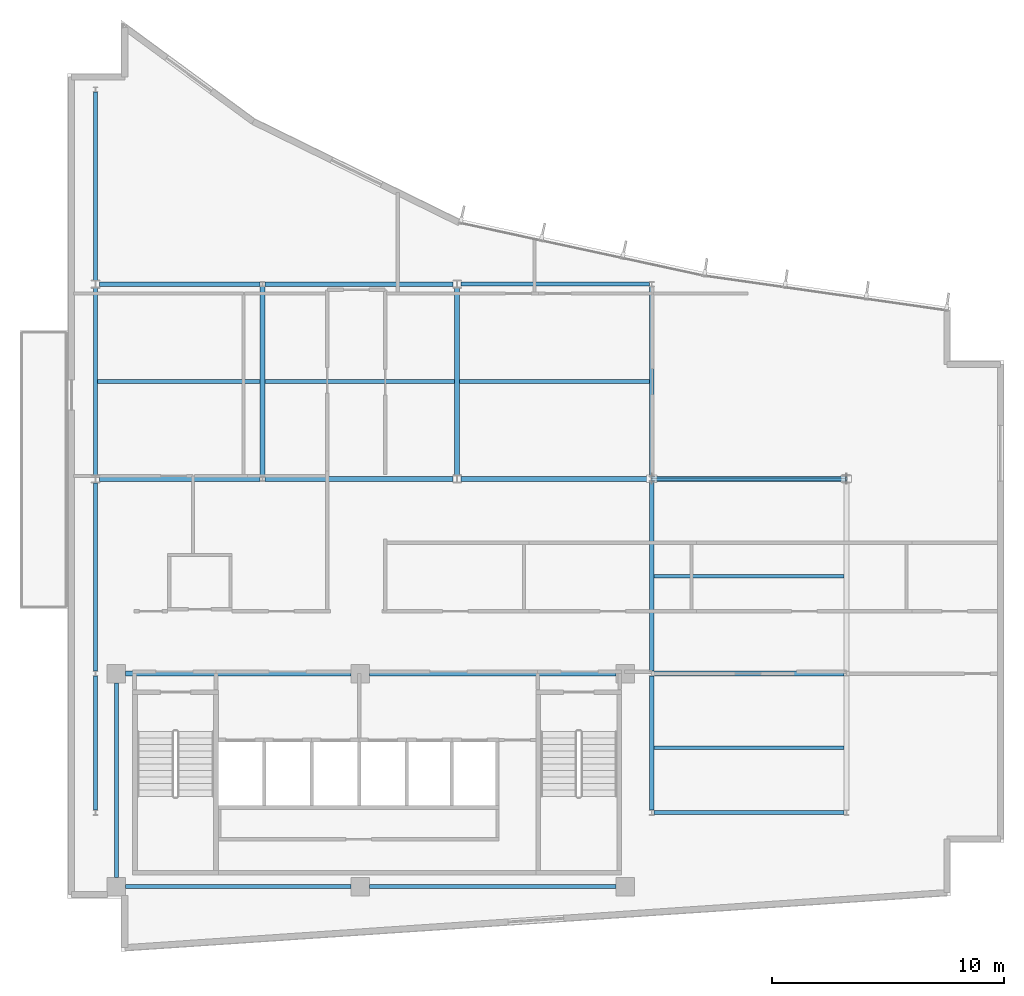
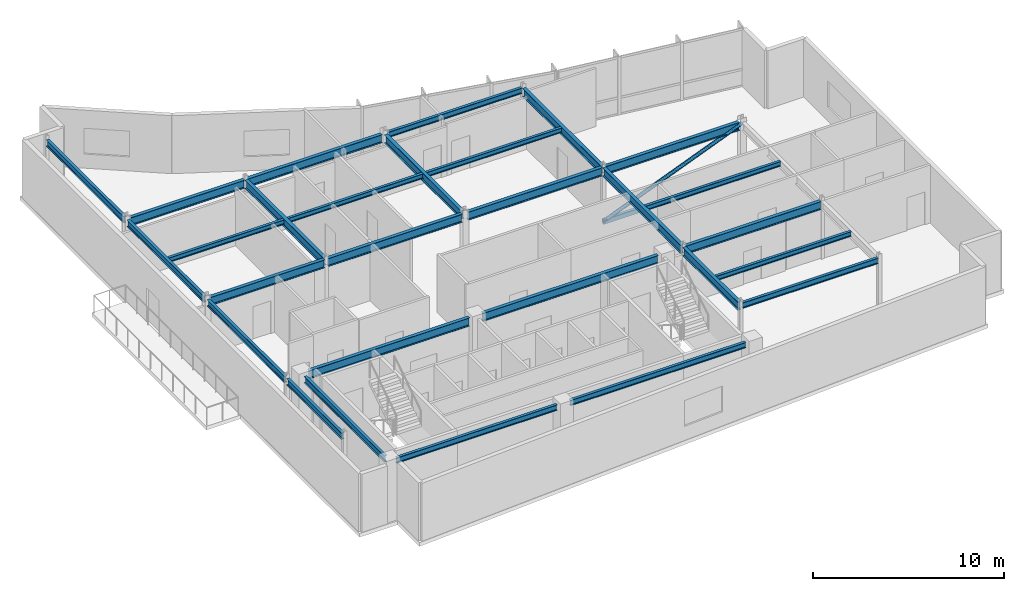
# One storey, part 5 of 16: 28 beams, 2 members.
"""IFC4 building model written with IfcOpenShell, lengths in metres."""

from ifc_helpers import new_model, si_unit, direction, frame, origin, origin_2d, place, context, subcontext, project, spatial, hollow_rectangle, hollow_circle, i_section, extrude, material, material_profile, profile_set, type_object, element, save


model = new_model("IFC4")

# Units and contexts
model_context = context("Model", 3, precision=1e-05, world=origin(), true_north=direction((0.0, 1.0)))
body_context = subcontext(model_context, "Body", "Model", "MODEL_VIEW")
ifc_project = project(units=[si_unit("LENGTHUNIT", "METRE"), si_unit("AREAUNIT", "SQUARE_METRE"), si_unit("VOLUMEUNIT", "CUBIC_METRE"), si_unit("PLANEANGLEUNIT", "RADIAN"), si_unit("MASSUNIT", "GRAM", prefix="KILO")], contexts=[model_context])

# Site, building, storey
site_placement = place(None, origin())
site = spatial("IfcSite", under=ifc_project, at=site_placement, CompositionType="ELEMENT")
building_placement = place(site_placement, origin())
building = spatial("IfcBuilding", under=site, at=building_placement, Name="Varnakote Quay Hospital", CompositionType="ELEMENT")
storey_placement = place(building_placement, frame((0.0, 0.0, 288.14990234375)))
storey = spatial("IfcBuildingStorey", under=building, at=storey_placement, Name="L71", CompositionType="ELEMENT", Elevation=288.14990234375)

# Beams
ifc_material_1 = material(Name="Structural steel AS/NZS 3679.1 Grade 350 L0 (fy 340 MPa)", Category="steel")
ifc_material_profile_1 = material_profile(ifc_material_1, i_section(OverallWidth=0.208984375, OverallDepth=0.528076171875, WebThickness=0.009521484375, FlangeThickness=0.01318359375, FilletRadius=0.013916015625, at=origin_2d()), Name="530UB82.0")
ifc_profile_set_1 = profile_set([ifc_material_profile_1], Name="Structural steel AS/NZS 3679.1 Grade 350 L0 (fy 340 MPa)")
beam_type_1 = type_object("IfcBeamType", Name="BM-STL-530UB82-0", PredefinedType="BEAM", material=ifc_profile_set_1)
beam_1_placement = place(storey_placement, frame((2.5, 12.0, 3.446044921875), z_axis=(1.0, 0.0, 0.0), x_axis=(0.0, 1.0, 0.0)))
element("IfcBeam", 1, at=beam_1_placement, inside=storey, type_object=beam_type_1, Name="L71 Primary Floor Beam", PredefinedType="BEAM", context=body_context, shape_type="SweptSolid", body=[
    extrude(i_section(OverallWidth=0.208984375, OverallDepth=0.528076171875, WebThickness=0.009521484375, FlangeThickness=0.01318359375, FilletRadius=0.013916015625, at=origin_2d()), origin(), (0.0, 0.0, 1.0), 9.719970703125),
])
beam_2_placement = place(storey_placement, frame((13.02001953125, 12.0, 3.446044921875), z_axis=(1.0, 0.0, 0.0), x_axis=(0.0, 1.0, 0.0)))
element("IfcBeam", 2, at=beam_2_placement, inside=storey, type_object=beam_type_1, Name="L71 Primary Floor Beam", PredefinedType="BEAM", context=body_context, shape_type="SweptSolid", body=[
    extrude(i_section(OverallWidth=0.208984375, OverallDepth=0.528076171875, WebThickness=0.009521484375, FlangeThickness=0.01318359375, FilletRadius=0.013916015625, at=origin_2d()), origin(), (0.0, 0.0, 1.0), 10.6298828125),
])
beam_3_placement = place(storey_placement, frame((25.302490234375, 12.0, 3.446044921875), z_axis=(1.0, 0.0, 0.0), x_axis=(0.0, 1.0, 0.0)))
element("IfcBeam", 3, at=beam_3_placement, inside=storey, type_object=beam_type_1, Name="L71 Primary Floor Beam", PredefinedType="BEAM", context=body_context, shape_type="SweptSolid", body=[
    extrude(i_section(OverallWidth=0.208984375, OverallDepth=0.528076171875, WebThickness=0.009521484375, FlangeThickness=0.01318359375, FilletRadius=0.013916015625, at=origin_2d()), origin(), (0.0, 0.0, 1.0), 8.195068359375),
])
beam_4_placement = place(storey_placement, frame((1.375, 20.39990234375, 3.446044921875), z_axis=(1.0, 0.0, 0.0), x_axis=(0.0, 1.0, 0.0)))
element("IfcBeam", 4, at=beam_4_placement, inside=storey, type_object=beam_type_1, Name="L71 Primary Floor Beam", PredefinedType="BEAM", context=body_context, shape_type="SweptSolid", body=[
    extrude(i_section(OverallWidth=0.208984375, OverallDepth=0.528076171875, WebThickness=0.009521484375, FlangeThickness=0.01318359375, FilletRadius=0.013916015625, at=origin_2d()), origin(), (0.0, 0.0, 1.0), 6.922607421875),
])
beam_5_placement = place(storey_placement, frame((8.50244140625, 20.39990234375, 3.446044921875), z_axis=(1.0, 0.0, 0.0), x_axis=(0.0, 1.0, 0.0)))
element("IfcBeam", 5, at=beam_5_placement, inside=storey, type_object=beam_type_1, Name="L71 Primary Floor Beam", PredefinedType="BEAM", context=body_context, shape_type="SweptSolid", body=[
    extrude(i_section(OverallWidth=0.208984375, OverallDepth=0.528076171875, WebThickness=0.009521484375, FlangeThickness=0.01318359375, FilletRadius=0.013916015625, at=origin_2d()), origin(), (0.0, 0.0, 1.0), 8.12255859375),
])
beam_6_placement = place(storey_placement, frame((16.97509765625, 20.39990234375, 3.446044921875), z_axis=(1.0, 0.0, 0.0), x_axis=(0.0, 1.0, 0.0)))
element("IfcBeam", 6, at=beam_6_placement, inside=storey, type_object=beam_type_1, Name="L71 Primary Floor Beam", PredefinedType="BEAM", context=body_context, shape_type="SweptSolid", body=[
    extrude(i_section(OverallWidth=0.208984375, OverallDepth=0.528076171875, WebThickness=0.009521484375, FlangeThickness=0.01318359375, FilletRadius=0.013916015625, at=origin_2d()), origin(), (0.0, 0.0, 1.0), 8.122314453125),
])
beam_7_placement = place(storey_placement, frame((25.302490234375, 20.39990234375, 3.446044921875), z_axis=(1.0, 0.0, 0.0), x_axis=(0.0, 1.0, 0.0)))
element("IfcBeam", 7, at=beam_7_placement, inside=storey, type_object=beam_type_1, Name="L71 Primary Floor Beam", PredefinedType="BEAM", context=body_context, shape_type="SweptSolid", body=[
    extrude(i_section(OverallWidth=0.208984375, OverallDepth=0.528076171875, WebThickness=0.009521484375, FlangeThickness=0.01318359375, FilletRadius=0.013916015625, at=origin_2d()), origin(), (0.0, 0.0, 1.0), 8.12255859375),
])
beam_8_placement = place(storey_placement, frame((1.375, 28.800048828125, 3.446044921875), z_axis=(1.0, 0.0, 0.0), x_axis=(0.0, 1.0, 0.0)))
element("IfcBeam", 8, at=beam_8_placement, inside=storey, type_object=beam_type_1, Name="L71 Primary Floor Beam", PredefinedType="BEAM", context=body_context, shape_type="SweptSolid", body=[
    extrude(i_section(OverallWidth=0.208984375, OverallDepth=0.528076171875, WebThickness=0.009521484375, FlangeThickness=0.01318359375, FilletRadius=0.013916015625, at=origin_2d()), origin(), (0.0, 0.0, 1.0), 6.922607421875),
])
beam_9_placement = place(storey_placement, frame((8.50244140625, 28.800048828125, 3.446044921875), z_axis=(1.0, 0.0, 0.0), x_axis=(0.0, 1.0, 0.0)))
element("IfcBeam", 9, at=beam_9_placement, inside=storey, type_object=beam_type_1, Name="L71 Primary Floor Beam", PredefinedType="BEAM", context=body_context, shape_type="SweptSolid", body=[
    extrude(i_section(OverallWidth=0.208984375, OverallDepth=0.528076171875, WebThickness=0.009521484375, FlangeThickness=0.01318359375, FilletRadius=0.013916015625, at=origin_2d()), origin(), (0.0, 0.0, 1.0), 8.12255859375),
])
beam_10_placement = place(storey_placement, frame((8.39990234375, 20.5048828125, 3.446044921875), z_axis=(0.0, 1.0, 0.0), x_axis=(-1.0, 0.0, 0.0)))
element("IfcBeam", 10, at=beam_10_placement, inside=storey, type_object=beam_type_1, Name="L71 Primary Tie Beam", PredefinedType="BEAM", context=body_context, shape_type="SweptSolid", body=[
    extrude(i_section(OverallWidth=0.208984375, OverallDepth=0.528076171875, WebThickness=0.009521484375, FlangeThickness=0.01318359375, FilletRadius=0.013916015625, at=origin_2d()), origin(), (0.0, 0.0, 1.0), 8.190185546875),
])
beam_11_placement = place(storey_placement, frame((16.800048828125, 20.570068359375, 3.446044921875), z_axis=(0.0, 1.0, 0.0), x_axis=(-1.0, 0.0, 0.0)))
element("IfcBeam", 11, at=beam_11_placement, inside=storey, type_object=beam_type_1, Name="L71 Primary Tie Beam", PredefinedType="BEAM", context=body_context, shape_type="SweptSolid", body=[
    extrude(i_section(OverallWidth=0.208984375, OverallDepth=0.528076171875, WebThickness=0.009521484375, FlangeThickness=0.01318359375, FilletRadius=0.013916015625, at=origin_2d()), origin(), (0.0, 0.0, 1.0), 8.059814453125),
])
beam_12_placement = place(storey_placement, frame((25.199951171875, 6.10498046875, 3.446044921875), z_axis=(0.0, 1.0, 0.0), x_axis=(-1.0, 0.0, 0.0)))
element("IfcBeam", 12, at=beam_12_placement, inside=storey, type_object=beam_type_1, Name="L71 Primary Tie Beam", PredefinedType="BEAM", context=body_context, shape_type="SweptSolid", body=[
    extrude(i_section(OverallWidth=0.208984375, OverallDepth=0.528076171875, WebThickness=0.009521484375, FlangeThickness=0.01318359375, FilletRadius=0.013916015625, at=origin_2d()), origin(), (0.0, 0.0, 1.0), 5.7900390625),
])
beam_13_placement = place(storey_placement, frame((25.199951171875, 12.10498046875, 3.446044921875), z_axis=(0.0, 1.0, 0.0), x_axis=(-1.0, 0.0, 0.0)))
element("IfcBeam", 13, at=beam_13_placement, inside=storey, type_object=beam_type_1, Name="L71 Primary Tie Beam", PredefinedType="BEAM", context=body_context, shape_type="SweptSolid", body=[
    extrude(i_section(OverallWidth=0.208984375, OverallDepth=0.528076171875, WebThickness=0.009521484375, FlangeThickness=0.01318359375, FilletRadius=0.013916015625, at=origin_2d()), origin(), (0.0, 0.0, 1.0), 8.18994140625),
])
beam_14_placement = place(storey_placement, frame((25.199951171875, 20.5048828125, 3.446044921875), z_axis=(0.0, 1.0, 0.0), x_axis=(-1.0, 0.0, 0.0)))
element("IfcBeam", 14, at=beam_14_placement, inside=storey, type_object=beam_type_1, Name="L71 Primary Tie Beam", PredefinedType="BEAM", context=body_context, shape_type="SweptSolid", body=[
    extrude(i_section(OverallWidth=0.208984375, OverallDepth=0.528076171875, WebThickness=0.009521484375, FlangeThickness=0.01318359375, FilletRadius=0.013916015625, at=origin_2d()), origin(), (0.0, 0.0, 1.0), 8.190185546875),
])
ifc_material_2 = material(Name="Structural steel AS/NZS 3679.1 Grade 350 L0 (fy 340 MPa)", Category="steel")
ifc_material_profile_2 = material_profile(ifc_material_2, i_section(OverallWidth=0.166015625, OverallDepth=0.306884765625, WebThickness=0.006591796875, FlangeThickness=0.01171875, FilletRadius=0.011474609375, at=origin_2d()), Name="310UB46.2")
ifc_profile_set_2 = profile_set([ifc_material_profile_2], Name="Structural steel AS/NZS 3679.1 Grade 350 L0 (fy 340 MPa)")
beam_type_2 = type_object("IfcBeamType", Name="JST-STL-310UB46-2", PredefinedType="JOIST", material=ifc_profile_set_2)
for number, where, z_axis, x_axis, name in (
    (15, (25.304443359375, 8.800048828125, 3.556640625), (1.0, 0.0, 0.0), (0.0, 1.0, 0.0), "L71 Composite Floor Joist"),
    (16, (25.304443359375, 16.199951171875, 3.556640625), (1.0, 0.0, 0.0), (0.0, 1.0, 0.0), "L71 Composite Floor Joist"),
):
    element("IfcBeam", number, at=place(storey_placement, frame(where, z_axis=z_axis, x_axis=x_axis)), inside=storey, type_object=beam_type_2, Name=name, PredefinedType="JOIST", context=body_context, shape_type="SweptSolid", body=[
        extrude(i_section(OverallWidth=0.166015625, OverallDepth=0.306884765625, WebThickness=0.006591796875, FlangeThickness=0.01171875, FilletRadius=0.011474609375, at=origin_2d()), origin(), (0.0, 0.0, 1.0), 8.191162109375),
    ])
beam_15_placement = place(storey_placement, frame((1.2890625, 24.60009765625, 3.556640625), z_axis=(1.0, 0.0, 0.0), x_axis=(0.0, 1.0, 0.0)))
element("IfcBeam", 17, at=beam_15_placement, inside=storey, type_object=beam_type_2, Name="L71 Composite Floor Joist", PredefinedType="JOIST", context=body_context, shape_type="SweptSolid", body=[
    extrude(i_section(OverallWidth=0.166015625, OverallDepth=0.306884765625, WebThickness=0.006591796875, FlangeThickness=0.01171875, FilletRadius=0.011474609375, at=origin_2d()), origin(), (0.0, 0.0, 1.0), 7.00634765625),
])
beam_16_placement = place(storey_placement, frame((8.50439453125, 24.60009765625, 3.556640625), z_axis=(1.0, 0.0, 0.0), x_axis=(0.0, 1.0, 0.0)))
element("IfcBeam", 18, at=beam_16_placement, inside=storey, type_object=beam_type_2, Name="L71 Composite Floor Joist", PredefinedType="JOIST", context=body_context, shape_type="SweptSolid", body=[
    extrude(i_section(OverallWidth=0.166015625, OverallDepth=0.306884765625, WebThickness=0.006591796875, FlangeThickness=0.01171875, FilletRadius=0.011474609375, at=origin_2d()), origin(), (0.0, 0.0, 1.0), 8.191162109375),
])
beam_17_placement = place(storey_placement, frame((16.904541015625, 24.60009765625, 3.556640625), z_axis=(1.0, 0.0, 0.0), x_axis=(0.0, 1.0, 0.0)))
element("IfcBeam", 19, at=beam_17_placement, inside=storey, type_object=beam_type_2, Name="L71 Composite Floor Joist", PredefinedType="JOIST", context=body_context, shape_type="SweptSolid", body=[
    extrude(i_section(OverallWidth=0.166015625, OverallDepth=0.306884765625, WebThickness=0.006591796875, FlangeThickness=0.01171875, FilletRadius=0.011474609375, at=origin_2d()), origin(), (0.0, 0.0, 1.0), 8.19091796875),
])

# Members
ifc_material_3 = material(Name="Structural steel AS/NZS 1163 Grade 350 C350L0 (fy 350 MPa)", Category="steel")
ifc_material_profile_3 = material_profile(ifc_material_3, hollow_circle(Radius=0.109619140625, WallThickness=0.00830078125, at=origin_2d()), Name="219.1x8.2CHS")
ifc_profile_set_3 = profile_set([ifc_material_profile_3], Name="Structural steel AS/NZS 1163 Grade 350 C350L0 (fy 350 MPa)")
member_type_1 = type_object("IfcMemberType", Name="MBR-BRC-219-1x8-2CHS", PredefinedType="BRACE", material=ifc_profile_set_3)
member_1_placement = place(storey_placement, frame((25.199951171875, 20.39990234375, 0.18017578125), z_axis=(0.928865301858, 0.0, 0.37041767102), x_axis=(0.0, 1.0, 0.0)))
element("IfcMember", 20, at=member_1_placement, inside=storey, type_object=member_type_1, Name="L71 Sawtooth Wedge Transfer Truss Diagonal", PredefinedType="BRACE", context=body_context, shape_type="SweptSolid", body=[
    extrude(hollow_circle(Radius=0.109619140625, WallThickness=0.00830078125, at=origin_2d()), origin(), (0.0, 0.0, 1.0), 9.04345703125),
])
ifc_material_4 = material(Name="Structural steel AS/NZS 1163 Grade 350 C350L0 (fy 350 MPa)", Category="steel")
ifc_material_profile_4 = material_profile(ifc_material_4, hollow_rectangle(XDim=0.199951171875, YDim=0.300048828125, WallThickness=0.010009765625, InnerFilletRadius=0.010009765625, OuterFilletRadius=0.02001953125, at=origin_2d()), Name="300x200x10.0RHS")
ifc_profile_set_4 = profile_set([ifc_material_profile_4], Name="Structural steel AS/NZS 1163 Grade 350 C350L0 (fy 350 MPa)")
member_type_2 = type_object("IfcMemberType", Name="MBR-CHD-300x200x10-0RHS", PredefinedType="CHORD", material=ifc_profile_set_4)
member_2_placement = place(storey_placement, frame((25.199951171875, 20.39990234375, 0.18017578125), z_axis=(1.0, 0.0, 0.0), x_axis=(0.0, 1.0, 0.0)))
element("IfcMember", 21, at=member_2_placement, inside=storey, type_object=member_type_2, Name="L71 Sawtooth Wedge Transfer Truss Chord", PredefinedType="CHORD", context=body_context, shape_type="SweptSolid", body=[
    extrude(hollow_rectangle(XDim=0.199951171875, YDim=0.300048828125, WallThickness=0.010009765625, InnerFilletRadius=0.010009765625, OuterFilletRadius=0.02001953125, at=origin_2d()), origin(), (0.0, 0.0, 1.0), 8.400146484375),
])

# Beams
ifc_material_5 = material(Name="Structural steel AS/NZS 3679.1 Grade 350 L0 (fy 340 MPa)", Category="steel")
ifc_material_profile_5 = material_profile(ifc_material_5, i_section(OverallWidth=0.172119140625, OverallDepth=0.35888671875, WebThickness=0.008056640625, FlangeThickness=0.012939453125, FilletRadius=0.011474609375, at=origin_2d()), Name="360UB56.7")
ifc_profile_set_5 = profile_set([ifc_material_profile_5], Name="Structural steel AS/NZS 3679.1 Grade 350 L0 (fy 340 MPa)")
beam_type_3 = type_object("IfcBeamType", Name="SPN-STL-360UB56-7", PredefinedType="SPANDREL", material=ifc_profile_set_5)
beam_18_placement = place(storey_placement, frame((2.5, 2.800048828125, 3.530517578125), z_axis=(1.0, 0.0, 0.0), x_axis=(0.0, 1.0, 0.0)))
element("IfcBeam", 22, at=beam_18_placement, inside=storey, type_object=beam_type_3, Name="L71 Perimeter Spandrel Beam", PredefinedType="SPANDREL", context=body_context, shape_type="SweptSolid", body=[
    extrude(i_section(OverallWidth=0.172119140625, OverallDepth=0.35888671875, WebThickness=0.008056640625, FlangeThickness=0.012939453125, FilletRadius=0.011474609375, at=origin_2d()), origin(), (0.0, 0.0, 1.0), 9.719970703125),
])
beam_19_placement = place(storey_placement, frame((13.02001953125, 2.800048828125, 3.530517578125), z_axis=(1.0, 0.0, 0.0), x_axis=(0.0, 1.0, 0.0)))
element("IfcBeam", 23, at=beam_19_placement, inside=storey, type_object=beam_type_3, Name="L71 Perimeter Spandrel Beam", PredefinedType="SPANDREL", context=body_context, shape_type="SweptSolid", body=[
    extrude(i_section(OverallWidth=0.172119140625, OverallDepth=0.35888671875, WebThickness=0.008056640625, FlangeThickness=0.012939453125, FilletRadius=0.011474609375, at=origin_2d()), origin(), (0.0, 0.0, 1.0), 10.6298828125),
])
beam_20_placement = place(storey_placement, frame((25.302490234375, 6.0, 3.530517578125), z_axis=(1.0, 0.0, 0.0), x_axis=(0.0, 1.0, 0.0)))
element("IfcBeam", 24, at=beam_20_placement, inside=storey, type_object=beam_type_3, Name="L71 Perimeter Spandrel Beam", PredefinedType="SPANDREL", context=body_context, shape_type="SweptSolid", body=[
    extrude(i_section(OverallWidth=0.172119140625, OverallDepth=0.35888671875, WebThickness=0.008056640625, FlangeThickness=0.012939453125, FilletRadius=0.011474609375, at=origin_2d()), origin(), (0.0, 0.0, 1.0), 8.195068359375),
])
beam_21_placement = place(storey_placement, frame((16.97509765625, 28.800048828125, 3.530517578125), z_axis=(1.0, 0.0, 0.0), x_axis=(0.0, 1.0, 0.0)))
element("IfcBeam", 25, at=beam_21_placement, inside=storey, type_object=beam_type_3, Name="L71 Perimeter Spandrel Beam", PredefinedType="SPANDREL", context=body_context, shape_type="SweptSolid", body=[
    extrude(i_section(OverallWidth=0.172119140625, OverallDepth=0.35888671875, WebThickness=0.008056640625, FlangeThickness=0.012939453125, FilletRadius=0.011474609375, at=origin_2d()), origin(), (0.0, 0.0, 1.0), 8.122314453125),
])
ifc_material_6 = material(Name="Structural steel AS/NZS 3679.1 Grade 350 L0 (fy 340 MPa)", Category="steel")
ifc_material_profile_6 = material_profile(ifc_material_6, i_section(OverallWidth=0.177978515625, OverallDepth=0.403076171875, WebThickness=0.007568359375, FlangeThickness=0.010986328125, FilletRadius=0.011474609375, at=origin_2d()), Name="410UB53.7")
ifc_profile_set_6 = profile_set([ifc_material_profile_6], Name="Structural steel AS/NZS 3679.1 Grade 350 L0 (fy 340 MPa)")
beam_type_4 = type_object("IfcBeamType", Name="SPN-STL-410UB53-7", PredefinedType="SPANDREL", material=ifc_profile_set_6)
beam_22_placement = place(storey_placement, frame((1.199951171875, 6.10498046875, 3.508544921875), z_axis=(0.0, 1.0, 0.0), x_axis=(-1.0, 0.0, 0.0)))
element("IfcBeam", 26, at=beam_22_placement, inside=storey, type_object=beam_type_4, Name="L71 Perimeter Spandrel Beam", PredefinedType="SPANDREL", context=body_context, shape_type="SweptSolid", body=[
    extrude(i_section(OverallWidth=0.177978515625, OverallDepth=0.403076171875, WebThickness=0.007568359375, FlangeThickness=0.010986328125, FilletRadius=0.011474609375, at=origin_2d()), origin(), (0.0, 0.0, 1.0), 5.7900390625),
])
beam_23_placement = place(storey_placement, frame((1.199951171875, 12.10498046875, 3.508544921875), z_axis=(0.0, 1.0, 0.0), x_axis=(-1.0, 0.0, 0.0)))
element("IfcBeam", 27, at=beam_23_placement, inside=storey, type_object=beam_type_4, Name="L71 Perimeter Spandrel Beam", PredefinedType="SPANDREL", context=body_context, shape_type="SweptSolid", body=[
    extrude(i_section(OverallWidth=0.177978515625, OverallDepth=0.403076171875, WebThickness=0.007568359375, FlangeThickness=0.010986328125, FilletRadius=0.011474609375, at=origin_2d()), origin(), (0.0, 0.0, 1.0), 8.125),
])
beam_24_placement = place(storey_placement, frame((1.199951171875, 20.570068359375, 3.508544921875), z_axis=(0.0, 1.0, 0.0), x_axis=(-1.0, 0.0, 0.0)))
element("IfcBeam", 28, at=beam_24_placement, inside=storey, type_object=beam_type_4, Name="L71 Perimeter Spandrel Beam", PredefinedType="SPANDREL", context=body_context, shape_type="SweptSolid", body=[
    extrude(i_section(OverallWidth=0.177978515625, OverallDepth=0.403076171875, WebThickness=0.007568359375, FlangeThickness=0.010986328125, FilletRadius=0.011474609375, at=origin_2d()), origin(), (0.0, 0.0, 1.0), 8.059814453125),
])
beam_25_placement = place(storey_placement, frame((1.199951171875, 28.969970703125, 3.508544921875), z_axis=(0.0, 1.0, 0.0), x_axis=(-1.0, 0.0, 0.0)))
element("IfcBeam", 29, at=beam_25_placement, inside=storey, type_object=beam_type_4, Name="L71 Perimeter Spandrel Beam", PredefinedType="SPANDREL", context=body_context, shape_type="SweptSolid", body=[
    extrude(i_section(OverallWidth=0.177978515625, OverallDepth=0.403076171875, WebThickness=0.007568359375, FlangeThickness=0.010986328125, FilletRadius=0.011474609375, at=origin_2d()), origin(), (0.0, 0.0, 1.0), 8.125),
])
beam_26_placement = place(storey_placement, frame((2.10009765625, 3.199951171875, 3.508544921875), z_axis=(0.0, 1.0, 0.0), x_axis=(-1.0, 0.0, 0.0)))
element("IfcBeam", 30, at=beam_26_placement, inside=storey, type_object=beam_type_4, Name="L71 Perimeter Spandrel Beam", PredefinedType="SPANDREL", context=body_context, shape_type="SweptSolid", body=[
    extrude(i_section(OverallWidth=0.177978515625, OverallDepth=0.403076171875, WebThickness=0.007568359375, FlangeThickness=0.010986328125, FilletRadius=0.011474609375, at=origin_2d()), origin(), (0.0, 0.0, 1.0), 8.400146484375),
])

save(model, "model.ifc")
